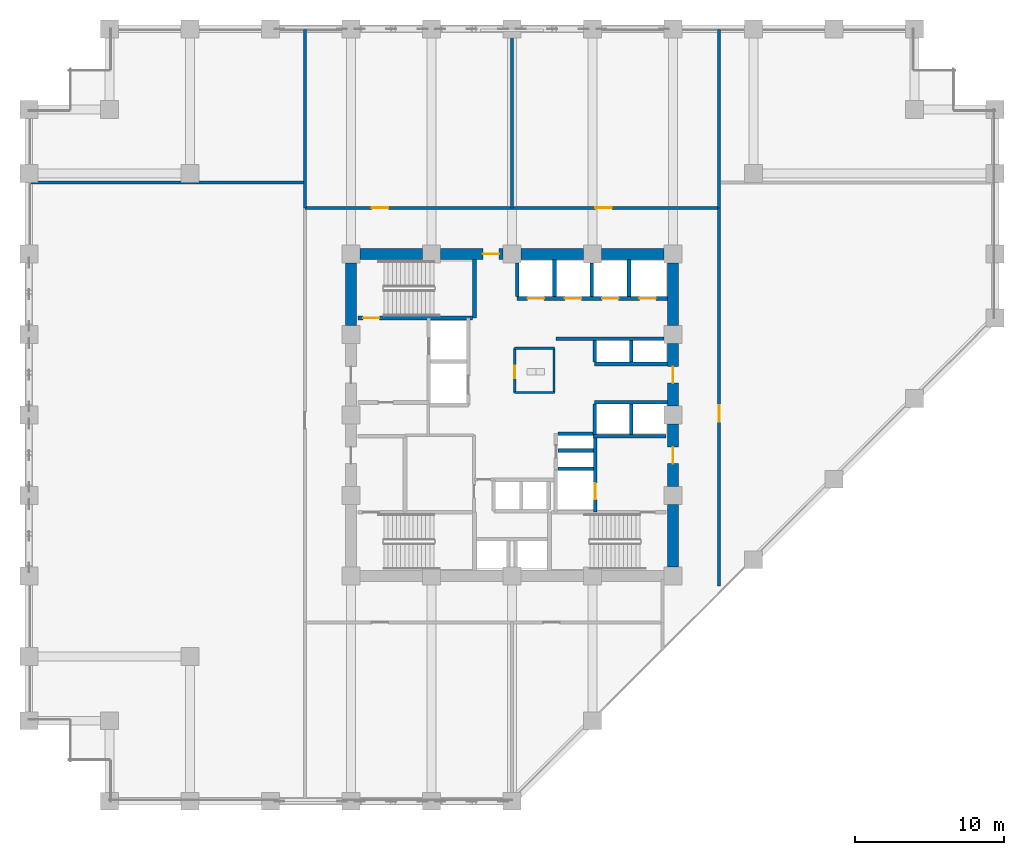
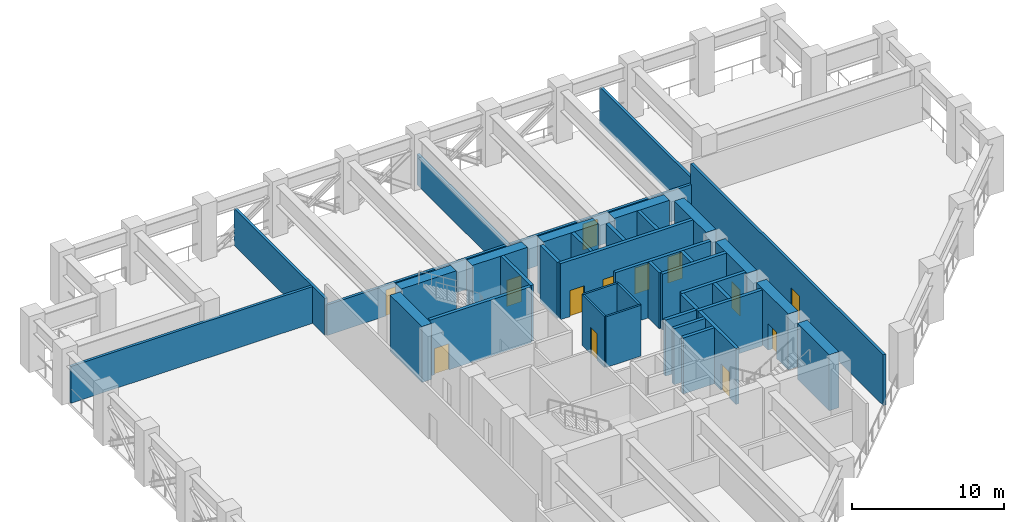
# One storey, part 5 of 12: 38 walls, 13 doors, 13 openings.
"""IFC4 building model written with IfcOpenShell, lengths in metres."""

from ifc_helpers import new_model, si_unit, direction, frame, frame_2d, origin, place, context, subcontext, project, spatial, rectangle, extrude, material, layer, layer_set, type_object, element, fill, save


model = new_model("IFC4")

# Units and contexts
model_context = context("Model", 3, precision=1e-05, world=origin(), true_north=direction((0.0, 1.0)))
body_context = subcontext(model_context, "Body", "Model", "MODEL_VIEW")
ifc_project = project(units=[si_unit("LENGTHUNIT", "METRE"), si_unit("AREAUNIT", "SQUARE_METRE"), si_unit("VOLUMEUNIT", "CUBIC_METRE"), si_unit("PLANEANGLEUNIT", "RADIAN"), si_unit("MASSUNIT", "GRAM", prefix="KILO")], contexts=[model_context])

# Site, building, storey
site_placement = place(None, origin())
site = spatial("IfcSite", under=ifc_project, at=site_placement, CompositionType="ELEMENT")
building_placement = place(site_placement, origin())
building = spatial("IfcBuilding", under=site, at=building_placement, Name="Surkhivell Harbour Commons", CompositionType="ELEMENT")
storey_placement = place(building_placement, frame((0.0, 0.0, 78.75)))
storey = spatial("IfcBuildingStorey", under=building, at=storey_placement, Name="L20", CompositionType="ELEMENT", Elevation=78.75)

# Walls
ifc_material_1 = material(Name="Concrete C60/75", Category="concrete")
ifc_layer_1 = layer(ifc_material_1, 0.75)
ifc_layer_set_1 = layer_set([ifc_layer_1], Name="Concrete C60/75")
wall_type_1 = type_object("IfcWallType", Name="WAL-CORE-750", PredefinedType="SHEAR", material=ifc_layer_set_1)
for number, where, z_axis, x_axis, name in (
    (1, (-10.18994140625, 10.800048828125, 0.0), (0.0, 0.0, 1.0), (1.0, 0.0, 0.0), "L20 Core Shear Wall North 1"),
    (2, (10.800048828125, -10.18994140625, 0.0), (0.0, 0.0, 1.0), (0.0, 1.0, 0.0), "L20 Core Shear Wall East 1"),
):
    element("IfcWall", number, at=place(storey_placement, frame(where, z_axis=z_axis, x_axis=x_axis)), inside=storey, type_object=wall_type_1, Name=name, PredefinedType="SHEAR", context=body_context, shape_type="SweptSolid", body=[
        extrude(rectangle(XDim=4.179931640625, YDim=0.75, at=frame_2d((2.08984375, 0.0))), origin(), (0.0, 0.0, 1.0), 4.5),
    ])

# Wall, opening, door
wall_1_placement = place(storey_placement, frame((-4.7900390625, 10.800048828125, 0.0), z_axis=(0.0, 0.0, 1.0), x_axis=(1.0, 0.0, 0.0)))
wall_1 = element("IfcWall", 3, at=wall_1_placement, inside=storey, type_object=wall_type_1, Name="L20 Core Shear Wall North 2", PredefinedType="SHEAR", context=body_context, shape_type="SweptSolid", body=[
    extrude(rectangle(XDim=4.179931640625, YDim=0.75, at=frame_2d((2.08984375, 0.0))), origin(), (0.0, 0.0, 1.0), 4.5),
])
opening_1_placement = place(wall_1_placement, frame((2.830078125, 0.0, 0.0)))
opening_1 = element("IfcOpeningElement", 4, at=opening_1_placement, cuts=wall_1, Name="Opening ID-2", PredefinedType="OPENING", context=body_context, shape_type="SweptSolid", body=[
    extrude(rectangle(XDim=1.10009765625, YDim=2.10009765625, at=frame_2d((0.550048828125, 1.050048828125))), frame((0.0, 0.385009765625, 0.0), z_axis=(0.0, -1.0, 0.0), x_axis=(1.0, 0.0, 0.0)), (0.0, 0.0, 1.0), 0.77001953125),
])
ifc_material_2 = material(Name="Hardwood-veneered fire-rated door leaf", Category="wood")
door_type_1 = type_object("IfcDoorType", Name="DOR-FD60-1100", OperationType="NOTDEFINED", PredefinedType="DOOR", material=ifc_material_2)
door_1_placement = place(opening_1_placement, origin())
door_1 = element("IfcDoor", 5, at=door_1_placement, inside=storey, type_object=door_type_1, Name="L20 Central Core Lift Hall North Corridor Door", OperationType="SINGLE_SWING_LEFT", OverallHeight=2.10009765625, OverallWidth=1.10009765625, PredefinedType="DOOR", context=body_context, shape_type="SweptSolid", body=[
    extrude(rectangle(XDim=1.10009765625, YDim=2.10009765625, at=frame_2d((0.550048828125, 1.050048828125))), frame((0.0, 0.02490234375, 0.0), z_axis=(0.0, -1.0, 0.0), x_axis=(1.0, 0.0, 0.0)), (0.0, 0.0, 1.0), 0.050048828125),
])
fill(opening_1, door_1)

wall_2_placement = place(storey_placement, frame((10.800048828125, -4.7900390625, 0.0), z_axis=(0.0, 0.0, 1.0), x_axis=(0.0, 1.0, 0.0)))
wall_2 = element("IfcWall", 6, at=wall_2_placement, inside=storey, type_object=wall_type_1, Name="L20 Core Shear Wall East 2", PredefinedType="SHEAR", context=body_context, shape_type="SweptSolid", body=[
    extrude(rectangle(XDim=4.179931640625, YDim=0.75, at=frame_2d((2.08984375, 0.0))), origin(), (0.0, 0.0, 1.0), 4.5),
])
opening_2_placement = place(wall_2_placement, frame((1.5400390625, 0.0, 0.0)))
opening_2 = element("IfcOpeningElement", 7, at=opening_2_placement, cuts=wall_2, Name="Opening ID-1", PredefinedType="OPENING", context=body_context, shape_type="SweptSolid", body=[
    extrude(rectangle(XDim=1.10009765625, YDim=2.10009765625, at=frame_2d((0.550048828125, 1.050048828125))), frame((0.0, 0.385009765625, 0.0), z_axis=(0.0, -1.0, 0.0), x_axis=(1.0, 0.0, 0.0)), (0.0, 0.0, 1.0), 0.77001953125),
])
door_type_2 = type_object("IfcDoorType", Name="DOR-FD120-1100", OperationType="NOTDEFINED", PredefinedType="DOOR", material=ifc_material_2)
door_2_placement = place(opening_2_placement, origin())
door_2 = element("IfcDoor", 8, at=door_2_placement, inside=storey, type_object=door_type_2, Name="L20 Firefighting Lobby 2 Corridor Door", OperationType="SINGLE_SWING_RIGHT", OverallHeight=2.10009765625, OverallWidth=1.10009765625, PredefinedType="DOOR", context=body_context, shape_type="SweptSolid", body=[
    extrude(rectangle(XDim=1.10009765625, YDim=2.10009765625, at=frame_2d((0.550048828125, 1.050048828125))), frame((0.0, 0.02490234375, 0.0), z_axis=(0.0, -1.0, 0.0), x_axis=(1.0, 0.0, 0.0)), (0.0, 0.0, 1.0), 0.050048828125),
])
fill(opening_2, door_2)

# Wall
wall_3_placement = place(storey_placement, frame((0.610107421875, 10.800048828125, 0.0), z_axis=(0.0, 0.0, 1.0), x_axis=(1.0, 0.0, 0.0)))
element("IfcWall", 9, at=wall_3_placement, inside=storey, type_object=wall_type_1, Name="L20 Core Shear Wall North 3", PredefinedType="SHEAR", context=body_context, shape_type="SweptSolid", body=[
    extrude(rectangle(XDim=4.179931640625, YDim=0.75, at=frame_2d((2.08984375, 0.0))), origin(), (0.0, 0.0, 1.0), 4.5),
])

# Wall, opening, door
wall_4_placement = place(storey_placement, frame((10.800048828125, 0.610107421875, 0.0), z_axis=(0.0, 0.0, 1.0), x_axis=(0.0, 1.0, 0.0)))
wall_4 = element("IfcWall", 10, at=wall_4_placement, inside=storey, type_object=wall_type_1, Name="L20 Core Shear Wall East 3", PredefinedType="SHEAR", context=body_context, shape_type="SweptSolid", body=[
    extrude(rectangle(XDim=4.179931640625, YDim=0.75, at=frame_2d((2.08984375, 0.0))), origin(), (0.0, 0.0, 1.0), 4.5),
])
opening_3_placement = place(wall_4_placement, frame((1.5400390625, 0.0, 0.0)))
opening_3 = element("IfcOpeningElement", 11, at=opening_3_placement, cuts=wall_4, Name="Opening ID-2", PredefinedType="OPENING", context=body_context, shape_type="SweptSolid", body=[
    extrude(rectangle(XDim=1.10009765625, YDim=2.10009765625, at=frame_2d((0.550048828125, 1.050048828125))), frame((0.0, 0.385009765625, 0.0), z_axis=(0.0, -1.0, 0.0), x_axis=(1.0, 0.0, 0.0)), (0.0, 0.0, 1.0), 0.77001953125),
])
door_3_placement = place(opening_3_placement, origin())
door_3 = element("IfcDoor", 12, at=door_3_placement, inside=storey, type_object=door_type_1, Name="L20 Mid-Rise Lobby East Door", OperationType="SINGLE_SWING_LEFT", OverallHeight=2.10009765625, OverallWidth=1.10009765625, PredefinedType="DOOR", context=body_context, shape_type="SweptSolid", body=[
    extrude(rectangle(XDim=1.10009765625, YDim=2.10009765625, at=frame_2d((0.550048828125, 1.050048828125))), frame((0.0, 0.02490234375, 0.0), z_axis=(0.0, -1.0, 0.0), x_axis=(1.0, 0.0, 0.0)), (0.0, 0.0, 1.0), 0.050048828125),
])
fill(opening_3, door_3)

# Walls
for number, where, z_axis, x_axis, name in (
    (13, (6.010009765625, 10.800048828125, 0.0), (0.0, 0.0, 1.0), (1.0, 0.0, 0.0), "L20 Core Shear Wall North 4"),
    (14, (-10.800048828125, 6.010009765625, 0.0), (0.0, 0.0, 1.0), (0.0, 1.0, 0.0), "L20 Core Shear Wall West 4"),
    (15, (10.800048828125, 6.010009765625, 0.0), (0.0, 0.0, 1.0), (0.0, 1.0, 0.0), "L20 Core Shear Wall East 4"),
):
    element("IfcWall", number, at=place(storey_placement, frame(where, z_axis=z_axis, x_axis=x_axis)), inside=storey, type_object=wall_type_1, Name=name, PredefinedType="SHEAR", context=body_context, shape_type="SweptSolid", body=[
        extrude(rectangle(XDim=4.179931640625, YDim=0.75, at=frame_2d((2.08984375, 0.0))), origin(), (0.0, 0.0, 1.0), 4.5),
    ])
ifc_material_3 = material(Name="Twin-stud acoustic fireboard partition", Category="other")
ifc_layer_2 = layer(ifc_material_3, 0.14990234375)
ifc_layer_set_2 = layer_set([ifc_layer_2], Name="Twin-stud acoustic fireboard partition")
wall_type_2 = type_object("IfcWallType", Name="WAL-INT-150", PredefinedType="PARTITIONING", material=ifc_layer_set_2)
wall_5_placement = place(storey_placement, frame((2.820068359375, 1.52001953125, 0.0), z_axis=(0.0, 0.0, 1.0), x_axis=(0.0, 1.0, 0.0)))
element("IfcWall", 16, at=wall_5_placement, inside=storey, type_object=wall_type_2, Name="L20 Core Accessible WC East Wall", PredefinedType="PARTITIONING", context=body_context, shape_type="SweptSolid", body=[
    extrude(rectangle(XDim=2.9599609375, YDim=0.14990234375, at=frame_2d((1.47998046875, 0.0))), origin(), (0.0, 0.0, 1.0), 4.080078125),
])
for number, where, z_axis, x_axis, name in (
    (17, (0.179931640625, 4.47998046875, 0.0), (0.0, 0.0, 1.0), (1.0, 0.0, 0.0), "L20 Core Accessible WC North Wall"),
    (18, (0.179931640625, 1.52001953125, 0.0), (0.0, 0.0, 1.0), (1.0, 0.0, 0.0), "L20 Core Accessible WC South Wall"),
):
    element("IfcWall", number, at=place(storey_placement, frame(where, z_axis=z_axis, x_axis=x_axis)), inside=storey, type_object=wall_type_2, Name=name, PredefinedType="PARTITIONING", context=body_context, shape_type="SweptSolid", body=[
        extrude(rectangle(XDim=2.670166015625, YDim=0.14990234375, at=frame_2d((1.3349609375, 0.0))), origin(), (0.0, 0.0, 1.0), 4.080078125),
    ])

# Wall, opening, door
wall_6_placement = place(storey_placement, frame((0.179931640625, 1.52001953125, 0.0), z_axis=(0.0, 0.0, 1.0), x_axis=(0.0, 1.0, 0.0)))
wall_6 = element("IfcWall", 19, at=wall_6_placement, inside=storey, type_object=wall_type_2, Name="L20 Core Accessible WC West Wall", PredefinedType="PARTITIONING", context=body_context, shape_type="SweptSolid", body=[
    extrude(rectangle(XDim=2.9599609375, YDim=0.14990234375, at=frame_2d((1.47998046875, 0.0))), origin(), (0.0, 0.0, 1.0), 4.080078125),
])
opening_4_placement = place(wall_6_placement, frame((0.949951171875, 0.0, 0.0)))
opening_4 = element("IfcOpeningElement", 20, at=opening_4_placement, cuts=wall_6, Name="Opening ID-6", PredefinedType="OPENING", context=body_context, shape_type="SweptSolid", body=[
    extrude(rectangle(XDim=0.85009765625, YDim=2.10009765625, at=frame_2d((0.425048828125, 1.050048828125))), frame((0.0, 0.0849609375, 0.0), z_axis=(0.0, -1.0, 0.0), x_axis=(1.0, 0.0, 0.0)), (0.0, 0.0, 1.0), 0.169921875),
])
door_type_3 = type_object("IfcDoorType", Name="DOR-FD30-850", OperationType="NOTDEFINED", PredefinedType="DOOR", material=ifc_material_2)
door_4_placement = place(opening_4_placement, origin())
door_4 = element("IfcDoor", 21, at=door_4_placement, inside=storey, type_object=door_type_3, Name="L20 Floor Accessible WC Door", OperationType="SINGLE_SWING_RIGHT", OverallHeight=2.10009765625, OverallWidth=0.85009765625, PredefinedType="DOOR", context=body_context, shape_type="SweptSolid", body=[
    extrude(rectangle(XDim=0.85009765625, YDim=2.10009765625, at=frame_2d((0.425048828125, 1.050048828125))), frame((0.0, 0.02490234375, 0.0), z_axis=(0.0, -1.0, 0.0), x_axis=(1.0, 0.0, 0.0)), (0.0, 0.0, 1.0), 0.050048828125),
])
fill(opening_4, door_4)

# Walls
ifc_material_4 = material(Name="Autoclaved aerated concrete blockwork and fire plaster", Category="masonry")
ifc_layer_3 = layer(ifc_material_4, 0.199951171875)
ifc_layer_set_3 = layer_set([ifc_layer_3], Name="Autoclaved aerated concrete blockwork and fire plaster")
wall_type_3 = type_object("IfcWallType", Name="WAL-INT-200", PredefinedType="PARTITIONING", material=ifc_layer_set_3)
wall_7_placement = place(storey_placement, frame((0.0, 13.89990234375, 0.0), z_axis=(0.0, 0.0, 1.0), x_axis=(0.0, 1.0, 0.0)))
element("IfcWall", 22, at=wall_7_placement, inside=storey, type_object=wall_type_3, Name="L20 Refuge North Plant Divider", PredefinedType="PARTITIONING", context=body_context, shape_type="SweptSolid", body=[
    extrude(rectangle(XDim=11.960205078125, YDim=0.199951171875, at=frame_2d((5.97998046875, 0.0))), origin(), (0.0, 0.0, 1.0), 2.4599609375),
])
wall_8_placement = place(storey_placement, frame((-32.360107421875, 15.60009765625, 0.0), z_axis=(0.0, 0.0, 1.0), x_axis=(1.0, 0.0, 0.0)))
element("IfcWall", 23, at=wall_8_placement, inside=storey, type_object=wall_type_3, Name="L20 West Refuge North Casing Wall", PredefinedType="PARTITIONING", context=body_context, shape_type="SweptSolid", body=[
    extrude(rectangle(XDim=18.460205078125, YDim=0.199951171875, at=frame_2d((9.22998046875, 0.0))), origin(), (0.0, 0.0, 1.0), 2.9599609375),
])

# Wall, opening, door
wall_9_placement = place(storey_placement, frame((13.89990234375, -11.449951171875, 0.0), z_axis=(0.0, 0.0, 1.0), x_axis=(0.0, 1.0, 0.0)))
wall_9 = element("IfcWall", 24, at=wall_9_placement, inside=storey, type_object=wall_type_3, Name="L20 Corridor East Wall", PredefinedType="PARTITIONING", context=body_context, shape_type="SweptSolid", body=[
    extrude(rectangle(XDim=25.349853515625, YDim=0.199951171875, at=frame_2d((12.6748046875, 0.0))), origin(), (0.0, 0.0, 1.0), 4.080078125),
])
opening_5_placement = place(wall_9_placement, frame((11.0, 0.0, 0.0)))
opening_5 = element("IfcOpeningElement", 25, at=opening_5_placement, cuts=wall_9, Name="Opening ID-2", PredefinedType="OPENING", context=body_context, shape_type="SweptSolid", body=[
    extrude(rectangle(XDim=1.10009765625, YDim=2.10009765625, at=frame_2d((0.550048828125, 1.050048828125))), frame((0.0, 0.10986328125, 0.0), z_axis=(0.0, -1.0, 0.0), x_axis=(1.0, 0.0, 0.0)), (0.0, 0.0, 1.0), 0.219970703125),
])
door_5_placement = place(opening_5_placement, origin())
door_5 = element("IfcDoor", 26, at=door_5_placement, inside=storey, type_object=door_type_1, Name="L20 East Harbour Open Refuge Area Door", OperationType="SINGLE_SWING_LEFT", OverallHeight=2.10009765625, OverallWidth=1.10009765625, PredefinedType="DOOR", context=body_context, shape_type="SweptSolid", body=[
    extrude(rectangle(XDim=1.10009765625, YDim=2.10009765625, at=frame_2d((0.550048828125, 1.050048828125))), frame((0.0, 0.02490234375, 0.0), z_axis=(0.0, -1.0, 0.0), x_axis=(1.0, 0.0, 0.0)), (0.0, 0.0, 1.0), 0.050048828125),
])
fill(opening_5, door_5)

# Wall, openings, doors
wall_10_placement = place(storey_placement, frame((-13.89990234375, 13.89990234375, 0.0), z_axis=(0.0, 0.0, 1.0), x_axis=(1.0, 0.0, 0.0)))
wall_10 = element("IfcWall", 27, at=wall_10_placement, inside=storey, type_object=wall_type_3, Name="L20 Corridor North Wall", PredefinedType="PARTITIONING", context=body_context, shape_type="SweptSolid", body=[
    extrude(rectangle(XDim=27.7998046875, YDim=0.199951171875, at=frame_2d((13.89990234375, 0.0))), origin(), (0.0, 0.0, 1.0), 2.4599609375),
])
opening_6_placement = place(wall_10_placement, frame((4.5, 0.0, 0.0)))
opening_6 = element("IfcOpeningElement", 28, at=opening_6_placement, cuts=wall_10, Name="Opening ID-2", PredefinedType="OPENING", context=body_context, shape_type="SweptSolid", body=[
    extrude(rectangle(XDim=1.10009765625, YDim=2.10009765625, at=frame_2d((0.550048828125, 1.050048828125))), frame((0.0, 0.10986328125, 0.0), z_axis=(0.0, -1.0, 0.0), x_axis=(1.0, 0.0, 0.0)), (0.0, 0.0, 1.0), 0.219970703125),
])
opening_7_placement = place(wall_10_placement, frame((19.5, 0.0, 0.0)))
opening_7 = element("IfcOpeningElement", 29, at=opening_7_placement, cuts=wall_10, Name="Opening ID-2", PredefinedType="OPENING", context=body_context, shape_type="SweptSolid", body=[
    extrude(rectangle(XDim=1.10009765625, YDim=2.10009765625, at=frame_2d((0.550048828125, 1.050048828125))), frame((0.0, 0.10986328125, 0.0), z_axis=(0.0, -1.0, 0.0), x_axis=(1.0, 0.0, 0.0)), (0.0, 0.0, 1.0), 0.219970703125),
])
door_6_placement = place(opening_6_placement, origin())
door_6 = element("IfcDoor", 30, at=door_6_placement, inside=storey, type_object=door_type_1, Name="L20 Zone Air Handling Mechanical Plant Door", OperationType="SINGLE_SWING_RIGHT", OverallHeight=2.10009765625, OverallWidth=1.10009765625, PredefinedType="DOOR", context=body_context, shape_type="SweptSolid", body=[
    extrude(rectangle(XDim=1.10009765625, YDim=2.10009765625, at=frame_2d((0.550048828125, 1.050048828125))), frame((0.0, 0.02490234375, 0.0), z_axis=(0.0, -1.0, 0.0), x_axis=(1.0, 0.0, 0.0)), (0.0, 0.0, 1.0), 0.050048828125),
])
fill(opening_6, door_6)
door_7_placement = place(opening_7_placement, origin())
door_7 = element("IfcDoor", 31, at=door_7_placement, inside=storey, type_object=door_type_1, Name="L20 Intermediate Heat-Exchanger Chiller Plant Door", OperationType="SINGLE_SWING_LEFT", OverallHeight=2.10009765625, OverallWidth=1.10009765625, PredefinedType="DOOR", context=body_context, shape_type="SweptSolid", body=[
    extrude(rectangle(XDim=1.10009765625, YDim=2.10009765625, at=frame_2d((0.550048828125, 1.050048828125))), frame((0.0, 0.02490234375, 0.0), z_axis=(0.0, -1.0, 0.0), x_axis=(1.0, 0.0, 0.0)), (0.0, 0.0, 1.0), 0.050048828125),
])
fill(opening_7, door_7)

# Walls
for number, where, z_axis, x_axis, name in (
    (32, (13.89990234375, 13.89990234375, 0.0), (0.0, 0.0, 1.0), (0.0, 1.0, 0.0), "L20 Corner NE Divider"),
    (33, (-13.89990234375, 13.89990234375, 0.0), (0.0, 0.0, 1.0), (0.0, 1.0, 0.0), "L20 Corner NW Divider"),
):
    element("IfcWall", number, at=place(storey_placement, frame(where, z_axis=z_axis, x_axis=x_axis)), inside=storey, type_object=wall_type_3, Name=name, PredefinedType="PARTITIONING", context=body_context, shape_type="SweptSolid", body=[
        extrude(rectangle(XDim=11.960205078125, YDim=0.199951171875, at=frame_2d((5.97998046875, 0.0))), origin(), (0.0, 0.0, 1.0), 2.9599609375),
    ])
ifc_material_5 = material(Name="Concrete C50/60", Category="concrete")
ifc_layer_4 = layer(ifc_material_5, 0.25)
ifc_layer_set_4 = layer_set([ifc_layer_4], Name="Concrete C50/60")
wall_type_4 = type_object("IfcWallType", Name="WAL-SHAFT-250", PredefinedType="SHEAR", material=ifc_layer_set_4)
wall_11_placement = place(storey_placement, frame((5.43994140625, -1.419921875, 0.0), z_axis=(0.0, 0.0, 1.0), x_axis=(1.0, 0.0, 0.0)))
element("IfcWall", 34, at=wall_11_placement, inside=storey, type_object=wall_type_4, Name="L20 Firefighting Lobby 2 North Wall", PredefinedType="SHEAR", context=body_context, shape_type="SweptSolid", body=[
    extrude(rectangle(XDim=4.900146484375, YDim=0.25, at=frame_2d((2.4501953125, 0.0))), origin(), (0.0, 0.0, 1.0), 4.5),
])
wall_12_placement = place(storey_placement, frame((3.080078125, -3.60009765625, 0.0), z_axis=(0.0, 0.0, 1.0), x_axis=(1.0, 0.0, 0.0)))
element("IfcWall", 35, at=wall_12_placement, inside=storey, type_object=wall_type_4, Name="L20 FFL2 North Shaft Wall", PredefinedType="SHEAR", context=body_context, shape_type="SweptSolid", body=[
    extrude(rectangle(XDim=2.369873046875, YDim=0.25, at=frame_2d((1.18505859375, 0.0))), origin(), (0.0, 0.0, 1.0), 4.5),
])

# Wall, opening, door
wall_13_placement = place(storey_placement, frame((5.580078125, -6.510009765625, 0.0), z_axis=(0.0, 0.0, 1.0), x_axis=(0.0, 1.0, 0.0)))
wall_13 = element("IfcWall", 36, at=wall_13_placement, inside=storey, type_object=wall_type_4, Name="L20 Firefighting Lobby 2 West Shaft Wall", PredefinedType="SHEAR", context=body_context, shape_type="SweptSolid", body=[
    extrude(rectangle(XDim=5.090087890625, YDim=0.25, at=frame_2d((2.544921875, 0.0))), origin(), (0.0, 0.0, 1.0), 4.5),
])
opening_8_placement = place(wall_13_placement, frame((0.85009765625, 0.0, 0.0)))
opening_8 = element("IfcOpeningElement", 37, at=opening_8_placement, cuts=wall_13, Name="Opening LD-1", PredefinedType="OPENING", context=body_context, shape_type="SweptSolid", body=[
    extrude(rectangle(XDim=1.10009765625, YDim=2.10009765625, at=frame_2d((0.550048828125, 1.050048828125))), frame((0.0, 0.135009765625, 0.0), z_axis=(0.0, -1.0, 0.0), x_axis=(1.0, 0.0, 0.0)), (0.0, 0.0, 1.0), 0.27001953125),
])
ifc_material_6 = material(Name="Brushed stainless steel S355", Category="steel")
door_type_4 = type_object("IfcDoorType", Name="DOR-LD-1100", OperationType="SLIDING_TO_LEFT", PredefinedType="DOOR", material=ifc_material_6)
door_8_placement = place(opening_8_placement, origin())
door_8 = element("IfcDoor", 38, at=door_8_placement, inside=storey, type_object=door_type_4, Name="L20 Lift Landing Door LD-FFL2", OperationType="SLIDING_TO_RIGHT", OverallHeight=2.10009765625, OverallWidth=1.10009765625, PredefinedType="DOOR", context=body_context, shape_type="SweptSolid", body=[
    extrude(rectangle(XDim=1.10009765625, YDim=2.10009765625, at=frame_2d((0.550048828125, 1.050048828125))), frame((0.0, 0.02490234375, 0.0), z_axis=(0.0, -1.0, 0.0), x_axis=(1.0, 0.0, 0.0)), (0.0, 0.0, 1.0), 0.050048828125),
])
fill(opening_8, door_8)

# Walls
wall_14_placement = place(storey_placement, frame((2.85009765625, 7.93994140625, 0.0), z_axis=(0.0, 0.0, 1.0), x_axis=(0.0, 1.0, 0.0)))
element("IfcWall", 39, at=wall_14_placement, inside=storey, type_object=wall_type_4, Name="L20 Low-Rise Hoistway Wall", PredefinedType="SHEAR", context=body_context, shape_type="SweptSolid", body=[
    extrude(rectangle(XDim=2.485107421875, YDim=0.25, at=frame_2d((1.24267578125, 0.0))), origin(), (0.0, 0.0, 1.0), 4.5),
])
for number, where, z_axis, x_axis, name in (
    (40, (0.35009765625, 7.93994140625, 0.0), (0.0, 0.0, 1.0), (0.0, 1.0, 0.0), "L20 Low-Rise Hoistway Wall"),
    (41, (5.35009765625, 7.93994140625, 0.0), (0.0, 0.0, 1.0), (0.0, 1.0, 0.0), "L20 Low-Rise Hoistway Wall"),
):
    element("IfcWall", number, at=place(storey_placement, frame(where, z_axis=z_axis, x_axis=x_axis)), inside=storey, type_object=wall_type_4, Name=name, PredefinedType="SHEAR", context=body_context, shape_type="SweptSolid", body=[
        extrude(rectangle(XDim=2.260009765625, YDim=0.25, at=frame_2d((1.1298828125, 0.0))), origin(), (0.0, 0.0, 1.0), 4.5),
    ])
wall_15_placement = place(storey_placement, frame((7.85009765625, 7.93994140625, 0.0), z_axis=(0.0, 0.0, 1.0), x_axis=(0.0, 1.0, 0.0)))
element("IfcWall", 42, at=wall_15_placement, inside=storey, type_object=wall_type_4, Name="L20 Low-Rise Hoistway Wall", PredefinedType="SHEAR", context=body_context, shape_type="SweptSolid", body=[
    extrude(rectangle(XDim=2.485107421875, YDim=0.25, at=frame_2d((1.24267578125, 0.0))), origin(), (0.0, 0.0, 1.0), 4.5),
])

# Wall, openings, doors
wall_16_placement = place(storey_placement, frame((0.35009765625, 7.820068359375, 0.0), z_axis=(0.0, 0.0, 1.0), x_axis=(1.0, 0.0, 0.0)))
wall_16 = element("IfcWall", 43, at=wall_16_placement, inside=storey, type_object=wall_type_4, Name="L20 Low-Rise Lift Front Shaft Wall", PredefinedType="SHEAR", context=body_context, shape_type="SweptSolid", body=[
    extrude(rectangle(XDim=10.074951171875, YDim=0.25, at=frame_2d((5.03759765625, 0.0))), origin(), (0.0, 0.0, 1.0), 4.5),
])
opening_9_placement = place(wall_16_placement, frame((0.699951171875, 0.0, 0.0)))
opening_9 = element("IfcOpeningElement", 44, at=opening_9_placement, cuts=wall_16, Name="Opening LD-1", PredefinedType="OPENING", context=body_context, shape_type="SweptSolid", body=[
    extrude(rectangle(XDim=1.10009765625, YDim=2.10009765625, at=frame_2d((0.550048828125, 1.050048828125))), frame((0.0, 0.135009765625, 0.0), z_axis=(0.0, -1.0, 0.0), x_axis=(1.0, 0.0, 0.0)), (0.0, 0.0, 1.0), 0.27001953125),
])
opening_10_placement = place(wall_16_placement, frame((3.199951171875, 0.0, 0.0)))
opening_10 = element("IfcOpeningElement", 45, at=opening_10_placement, cuts=wall_16, Name="Opening LD-1", PredefinedType="OPENING", context=body_context, shape_type="SweptSolid", body=[
    extrude(rectangle(XDim=1.10009765625, YDim=2.10009765625, at=frame_2d((0.550048828125, 1.050048828125))), frame((0.0, 0.135009765625, 0.0), z_axis=(0.0, -1.0, 0.0), x_axis=(1.0, 0.0, 0.0)), (0.0, 0.0, 1.0), 0.27001953125),
])
opening_11_placement = place(wall_16_placement, frame((5.699951171875, 0.0, 0.0)))
opening_11 = element("IfcOpeningElement", 46, at=opening_11_placement, cuts=wall_16, Name="Opening LD-1", PredefinedType="OPENING", context=body_context, shape_type="SweptSolid", body=[
    extrude(rectangle(XDim=1.10009765625, YDim=2.10009765625, at=frame_2d((0.550048828125, 1.050048828125))), frame((0.0, 0.135009765625, 0.0), z_axis=(0.0, -1.0, 0.0), x_axis=(1.0, 0.0, 0.0)), (0.0, 0.0, 1.0), 0.27001953125),
])
opening_12_placement = place(wall_16_placement, frame((8.199951171875, 0.0, 0.0)))
opening_12 = element("IfcOpeningElement", 47, at=opening_12_placement, cuts=wall_16, Name="Opening LD-1", PredefinedType="OPENING", context=body_context, shape_type="SweptSolid", body=[
    extrude(rectangle(XDim=1.10009765625, YDim=2.10009765625, at=frame_2d((0.550048828125, 1.050048828125))), frame((0.0, 0.135009765625, 0.0), z_axis=(0.0, -1.0, 0.0), x_axis=(1.0, 0.0, 0.0)), (0.0, 0.0, 1.0), 0.27001953125),
])
door_9_placement = place(opening_9_placement, origin())
door_9 = element("IfcDoor", 48, at=door_9_placement, inside=storey, type_object=door_type_4, Name="L20 Lift Landing Door LD-PL1", OperationType="SLIDING_TO_LEFT", OverallHeight=2.10009765625, OverallWidth=1.10009765625, PredefinedType="DOOR", context=body_context, shape_type="SweptSolid", body=[
    extrude(rectangle(XDim=1.10009765625, YDim=2.10009765625, at=frame_2d((0.550048828125, 1.050048828125))), frame((0.0, 0.02490234375, 0.0), z_axis=(0.0, -1.0, 0.0), x_axis=(1.0, 0.0, 0.0)), (0.0, 0.0, 1.0), 0.050048828125),
])
fill(opening_9, door_9)
door_10_placement = place(opening_10_placement, origin())
door_10 = element("IfcDoor", 49, at=door_10_placement, inside=storey, type_object=door_type_4, Name="L20 Lift Landing Door LD-PL2", OperationType="SLIDING_TO_LEFT", OverallHeight=2.10009765625, OverallWidth=1.10009765625, PredefinedType="DOOR", context=body_context, shape_type="SweptSolid", body=[
    extrude(rectangle(XDim=1.10009765625, YDim=2.10009765625, at=frame_2d((0.550048828125, 1.050048828125))), frame((0.0, 0.02490234375, 0.0), z_axis=(0.0, -1.0, 0.0), x_axis=(1.0, 0.0, 0.0)), (0.0, 0.0, 1.0), 0.050048828125),
])
fill(opening_10, door_10)
door_11_placement = place(opening_11_placement, origin())
door_11 = element("IfcDoor", 50, at=door_11_placement, inside=storey, type_object=door_type_4, Name="L20 Lift Landing Door LD-PL3", OperationType="SLIDING_TO_LEFT", OverallHeight=2.10009765625, OverallWidth=1.10009765625, PredefinedType="DOOR", context=body_context, shape_type="SweptSolid", body=[
    extrude(rectangle(XDim=1.10009765625, YDim=2.10009765625, at=frame_2d((0.550048828125, 1.050048828125))), frame((0.0, 0.02490234375, 0.0), z_axis=(0.0, -1.0, 0.0), x_axis=(1.0, 0.0, 0.0)), (0.0, 0.0, 1.0), 0.050048828125),
])
fill(opening_11, door_11)
door_12_placement = place(opening_12_placement, origin())
door_12 = element("IfcDoor", 51, at=door_12_placement, inside=storey, type_object=door_type_4, Name="L20 Lift Landing Door LD-PL4", OperationType="SLIDING_TO_LEFT", OverallHeight=2.10009765625, OverallWidth=1.10009765625, PredefinedType="DOOR", context=body_context, shape_type="SweptSolid", body=[
    extrude(rectangle(XDim=1.10009765625, YDim=2.10009765625, at=frame_2d((0.550048828125, 1.050048828125))), frame((0.0, 0.02490234375, 0.0), z_axis=(0.0, -1.0, 0.0), x_axis=(1.0, 0.0, 0.0)), (0.0, 0.0, 1.0), 0.050048828125),
])
fill(opening_12, door_12)

# Walls
wall_17_placement = place(storey_placement, frame((2.949951171875, 5.1201171875, 0.0), z_axis=(0.0, 0.0, 1.0), x_axis=(1.0, 0.0, 0.0)))
element("IfcWall", 52, at=wall_17_placement, inside=storey, type_object=wall_type_4, Name="L20 Low-Rise Lobby South Wall", PredefinedType="SHEAR", context=body_context, shape_type="SweptSolid", body=[
    extrude(rectangle(XDim=7.25, YDim=0.25, at=frame_2d((3.625, 0.0))), origin(), (0.0, 0.0, 1.0), 4.5),
])
for number, where, z_axis, x_axis, name in (
    (53, (5.550048828125, 3.550048828125, 0.0), (0.0, 0.0, 1.0), (0.0, 1.0, 0.0), "L20 Mid-Rise Shaft Side Wall N"),
    (54, (8.0, 3.550048828125, 0.0), (0.0, 0.0, 1.0), (0.0, 1.0, 0.0), "L20 Mid-Rise Shaft Side Wall N"),
):
    element("IfcWall", number, at=place(storey_placement, frame(where, z_axis=z_axis, x_axis=x_axis)), inside=storey, type_object=wall_type_4, Name=name, PredefinedType="SHEAR", context=body_context, shape_type="SweptSolid", body=[
        extrude(rectangle(XDim=1.449951171875, YDim=0.25, at=frame_2d((0.72509765625, 0.0))), origin(), (0.0, 0.0, 1.0), 4.5),
    ])
for number, where, z_axis, x_axis, name in (
    (55, (5.550048828125, -1.300048828125, 0.0), (0.0, 0.0, 1.0), (0.0, 1.0, 0.0), "L20 Mid-Rise Shaft Side Wall S"),
    (56, (8.0, -1.300048828125, 0.0), (0.0, 0.0, 1.0), (0.0, 1.0, 0.0), "L20 Mid-Rise Shaft Side Wall S"),
):
    element("IfcWall", number, at=place(storey_placement, frame(where, z_axis=z_axis, x_axis=x_axis)), inside=storey, type_object=wall_type_4, Name=name, PredefinedType="SHEAR", context=body_context, shape_type="SweptSolid", body=[
        extrude(rectangle(XDim=2.0400390625, YDim=0.25, at=frame_2d((1.02001953125, 0.0))), origin(), (0.0, 0.0, 1.0), 4.5),
    ])
for number, where, z_axis, x_axis, name in (
    (57, (5.550048828125, 3.429931640625, 0.0), (0.0, 0.0, 1.0), (1.0, 0.0, 0.0), "L20 Mid-Rise North Front Shaft Wall"),
    (58, (5.550048828125, 0.8701171875, 0.0), (0.0, 0.0, 1.0), (1.0, 0.0, 0.0), "L20 Mid-Rise South Front Shaft Wall"),
):
    element("IfcWall", number, at=place(storey_placement, frame(where, z_axis=z_axis, x_axis=x_axis)), inside=storey, type_object=wall_type_4, Name=name, PredefinedType="SHEAR", context=body_context, shape_type="SweptSolid", body=[
        extrude(rectangle(XDim=4.875, YDim=0.25, at=frame_2d((2.4375, 0.0))), origin(), (0.0, 0.0, 1.0), 4.5),
    ])
for number, where, z_axis, x_axis, name in (
    (59, (3.080078125, -2.3798828125, 0.0), (0.0, 0.0, 1.0), (1.0, 0.0, 0.0), "L20 Riser Divider Wall"),
    (60, (3.080078125, -1.25, 0.0), (0.0, 0.0, 1.0), (1.0, 0.0, 0.0), "L20 Riser North Wall"),
):
    element("IfcWall", number, at=place(storey_placement, frame(where, z_axis=z_axis, x_axis=x_axis)), inside=storey, type_object=wall_type_4, Name=name, PredefinedType="SHEAR", context=body_context, shape_type="SweptSolid", body=[
        extrude(rectangle(XDim=2.369873046875, YDim=0.25, at=frame_2d((1.18505859375, 0.0))), origin(), (0.0, 0.0, 1.0), 4.5),
    ])
wall_18_placement = place(storey_placement, frame((-2.510009765625, 6.510009765625, 0.0), z_axis=(0.0, 0.0, 1.0), x_axis=(0.0, 1.0, 0.0)))
element("IfcWall", 61, at=wall_18_placement, inside=storey, type_object=wall_type_4, Name="L20 Stair ST1 East Shear Wall", PredefinedType="SHEAR", context=body_context, shape_type="SweptSolid", body=[
    extrude(rectangle(XDim=3.9150390625, YDim=0.25, at=frame_2d((1.95751953125, 0.0))), origin(), (0.0, 0.0, 1.0), 4.5),
])

# Wall, opening, door
wall_19_placement = place(storey_placement, frame((-10.340087890625, 6.510009765625, 0.0), z_axis=(0.0, 0.0, 1.0), x_axis=(1.0, 0.0, 0.0)))
wall_19 = element("IfcWall", 62, at=wall_19_placement, inside=storey, type_object=wall_type_4, Name="L20 Stair ST1 South Shear Wall", PredefinedType="SHEAR", context=body_context, shape_type="SweptSolid", body=[
    extrude(rectangle(XDim=7.7001953125, YDim=0.25, at=frame_2d((3.85009765625, 0.0))), origin(), (0.0, 0.0, 1.0), 4.5),
])
opening_13_placement = place(wall_19_placement, frame((0.35009765625, 0.0, 0.0)))
opening_13 = element("IfcOpeningElement", 63, at=opening_13_placement, cuts=wall_19, Name="Opening ID-2", PredefinedType="OPENING", context=body_context, shape_type="SweptSolid", body=[
    extrude(rectangle(XDim=1.10009765625, YDim=2.10009765625, at=frame_2d((0.550048828125, 1.050048828125))), frame((0.0, 0.135009765625, 0.0), z_axis=(0.0, -1.0, 0.0), x_axis=(1.0, 0.0, 0.0)), (0.0, 0.0, 1.0), 0.27001953125),
])
door_13_placement = place(opening_13_placement, origin())
door_13 = element("IfcDoor", 64, at=door_13_placement, inside=storey, type_object=door_type_1, Name="L20 Stair ST1 Exit Door", OperationType="SINGLE_SWING_LEFT", OverallHeight=2.10009765625, OverallWidth=1.10009765625, PredefinedType="DOOR", context=body_context, shape_type="SweptSolid", body=[
    extrude(rectangle(XDim=1.10009765625, YDim=2.10009765625, at=frame_2d((0.550048828125, 1.050048828125))), frame((0.0, 0.02490234375, 0.0), z_axis=(0.0, -1.0, 0.0), x_axis=(1.0, 0.0, 0.0)), (0.0, 0.0, 1.0), 0.050048828125),
])
fill(opening_13, door_13)

save(model, "model.ifc")
